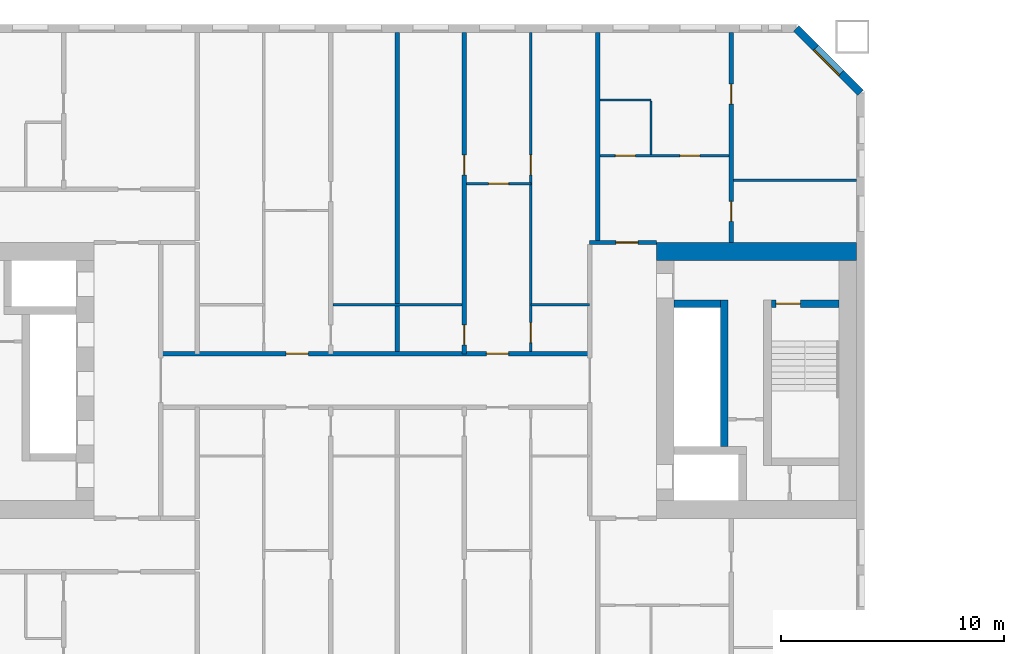
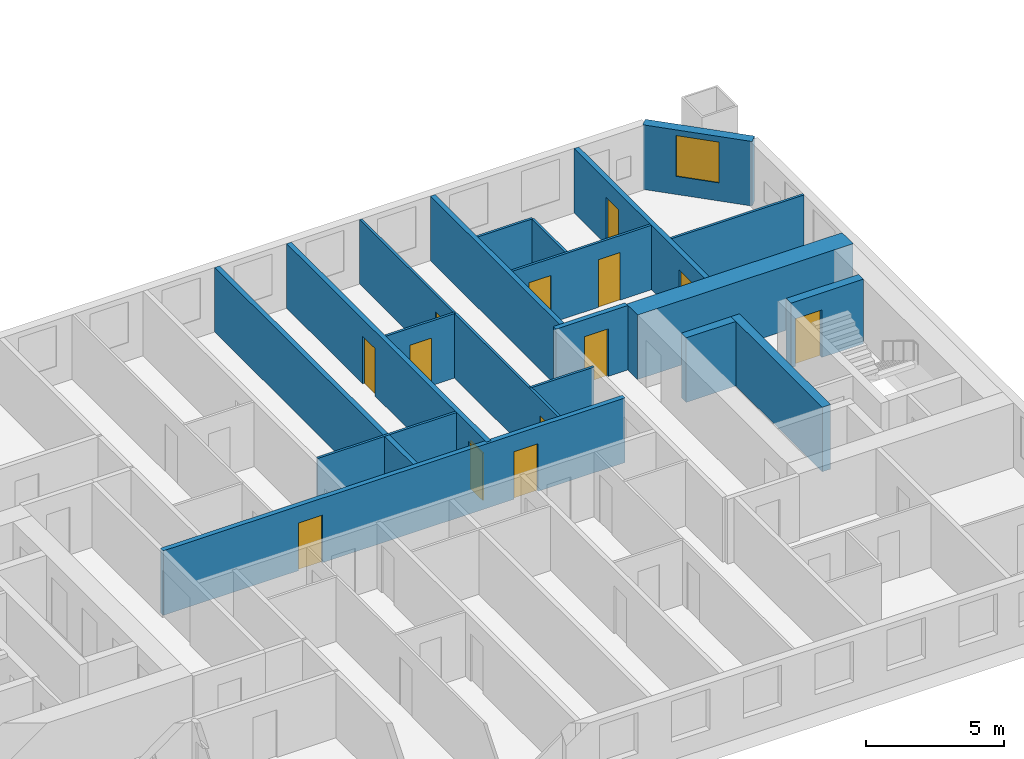
# One storey, part 8 of 17: 19 walls, 13 doors, 1 window, 14 openings.
"""IFC4 building model written with IfcOpenShell, lengths in metres."""

from ifc_helpers import new_model, si_unit, direction, frame, frame_2d, origin, place, context, subcontext, project, spatial, rectangle, extrude, material, layer, layer_set, type_object, element, fill, save


model = new_model("IFC4")

# Units and contexts
model_context = context("Model", 3, precision=1e-05, world=origin(), true_north=direction((0.0, 1.0)))
body_context = subcontext(model_context, "Body", "Model", "MODEL_VIEW")
ifc_project = project(units=[si_unit("LENGTHUNIT", "METRE"), si_unit("AREAUNIT", "SQUARE_METRE"), si_unit("VOLUMEUNIT", "CUBIC_METRE"), si_unit("PLANEANGLEUNIT", "RADIAN"), si_unit("MASSUNIT", "GRAM", prefix="KILO")], contexts=[model_context])

# Site, building, storey
site_placement = place(None, origin())
site = spatial("IfcSite", under=ifc_project, at=site_placement, CompositionType="ELEMENT")
building_placement = place(site_placement, origin())
building = spatial("IfcBuilding", under=site, at=building_placement, Name="Tuart Gate Housing", CompositionType="ELEMENT")
storey_placement = place(building_placement, frame((0.0, 0.0, 44.300048828125)))
storey = spatial("IfcBuildingStorey", under=building, at=storey_placement, Name="L11", CompositionType="ELEMENT", Elevation=44.300048828125)

# Wall, opening, window
ifc_material_1 = material(Name="Brick", Category="masonry")
ifc_layer_1 = layer(ifc_material_1, 0.360107421875)
ifc_layer_set_1 = layer_set([ifc_layer_1], Name="Brick pier and spandrel wall 360")
wall_type_1 = type_object("IfcWallType", Name="Brick pier and spandrel wall 360", PredefinedType="STANDARD", material=ifc_layer_set_1)
wall_1_placement = place(storey_placement, frame((75.820068359375, 82.92529296875, 0.0), z_axis=(0.0, 0.0, 1.0), x_axis=(-0.707106781187, 0.707106781187, 0.0)))
wall_1 = element("IfcWall", 1, at=wall_1_placement, inside=storey, type_object=wall_type_1, Name="External wall A-NE L11", PredefinedType="STANDARD", context=body_context, shape_type="SweptSolid", body=[
    extrude(rectangle(XDim=4.09375, YDim=0.360107421875, at=frame_2d((2.046875, 0.0))), origin(), (0.0, 0.0, 1.0), 2.849853515625),
])
opening_1_placement = place(wall_1_placement, frame((1.2470703125, 0.0, 0.800048828125)))
opening_1 = element("IfcOpeningElement", 2, at=opening_1_placement, cuts=wall_1, Name="Opening W1", PredefinedType="OPENING", context=body_context, shape_type="SweptSolid", body=[
    extrude(rectangle(XDim=1.60009765625, YDim=1.800048828125, at=frame_2d((0.800048828125, 0.89990234375))), frame((0.0, 0.18994140625, 0.0), z_axis=(0.0, -1.0, 0.0), x_axis=(1.0, 0.0, 0.0)), (0.0, 0.0, 1.0), 0.380126953125),
])
ifc_material_2 = material(Name="Aluminium frame with clear glass", Category="aluminium")
window_type = type_object("IfcWindowType", Name="Punched window 1600 x 1800", PartitioningType="SINGLE_PANEL", PredefinedType="WINDOW", material=ifc_material_2)
window_placement = place(opening_1_placement, origin())
window = element("IfcWindow", 3, at=window_placement, inside=storey, type_object=window_type, Name="Window W1", OverallHeight=1.800048828125, OverallWidth=1.60009765625, PartitioningType="SINGLE_PANEL", PredefinedType="WINDOW", context=body_context, shape_type="SweptSolid", body=[
    extrude(rectangle(XDim=1.60009765625, YDim=1.800048828125, at=frame_2d((0.800048828125, 0.89990234375))), frame((0.0, 0.150146484375, 0.0), z_axis=(0.0, -1.0, 0.0), x_axis=(1.0, 0.0, 0.0)), (0.0, 0.0, 1.0), 0.06005859375),
])
fill(opening_1, window)

# Wall
ifc_material_3 = material(Name="Concrete C60", Category="concrete")
ifc_layer_2 = layer(ifc_material_3, 0.35009765625)
ifc_layer_set_2 = layer_set([ifc_layer_2], Name="Core wall 350 C60")
wall_type_2 = type_object("IfcWallType", Name="Core wall 350 C60", PredefinedType="SHEAR", material=ifc_layer_set_2)
wall_2_placement = place(storey_placement, frame((67.43994140625, 73.449951171875, 0.0), z_axis=(0.0, 0.0, 1.0), x_axis=(1.0, 0.0, 0.0)))
element("IfcWall", 4, at=wall_2_placement, inside=storey, type_object=wall_type_2, Name="Core wall AG.4", PredefinedType="SHEAR", context=body_context, shape_type="SweptSolid", body=[
    extrude(rectangle(XDim=2.074951171875, YDim=0.35009765625, at=frame_2d((1.03759765625, 0.0))), origin(), (0.0, 0.0, 1.0), 2.849853515625),
])

# Wall, opening, door
wall_3_placement = place(storey_placement, frame((71.81494140625, 73.449951171875, 0.0), z_axis=(0.0, 0.0, 1.0), x_axis=(1.0, 0.0, 0.0)))
wall_3 = element("IfcWall", 5, at=wall_3_placement, inside=storey, type_object=wall_type_2, Name="Core wall AG.5", PredefinedType="SHEAR", context=body_context, shape_type="SweptSolid", body=[
    extrude(rectangle(XDim=3.025146484375, YDim=0.35009765625, at=frame_2d((1.5126953125, 0.0))), origin(), (0.0, 0.0, 1.0), 2.849853515625),
])
opening_2_placement = place(wall_3_placement, frame((0.195068359375, 0.0, 0.0)))
opening_2 = element("IfcOpeningElement", 6, at=opening_2_placement, cuts=wall_3, Name="Opening D615", PredefinedType="OPENING", context=body_context, shape_type="SweptSolid", body=[
    extrude(rectangle(XDim=1.10009765625, YDim=2.10009765625, at=frame_2d((0.550048828125, 1.050048828125))), frame((0.0, 0.18505859375, 0.0), z_axis=(0.0, -1.0, 0.0), x_axis=(1.0, 0.0, 0.0)), (0.0, 0.0, 1.0), 0.3701171875),
])
ifc_material_4 = material(Name="Steel fire door", Category="steel")
door_type_1 = type_object("IfcDoorType", Name="Stair door 1100 x 2100 RH", OperationType="SINGLE_SWING_RIGHT", PredefinedType="DOOR", material=ifc_material_4)
door_1_placement = place(opening_2_placement, frame((1.10009765625, 0.0, 0.0), z_axis=(0.0, 0.0, 1.0), x_axis=(-1.0, 0.0, 0.0)))
door_1 = element("IfcDoor", 7, at=door_1_placement, inside=storey, type_object=door_type_1, Name="Stair door AG.SD", OperationType="SINGLE_SWING_RIGHT", OverallHeight=2.10009765625, OverallWidth=1.10009765625, PredefinedType="DOOR", context=body_context, shape_type="SweptSolid", body=[
    extrude(rectangle(XDim=1.10009765625, YDim=2.10009765625, at=frame_2d((0.550048828125, 1.050048828125))), frame((0.0, 0.025146484375, 0.0), z_axis=(0.0, -1.0, 0.0), x_axis=(1.0, 0.0, 0.0)), (0.0, 0.0, 1.0), 0.050048828125),
])
fill(opening_2, door_1)

# Walls
wall_4_placement = place(storey_placement, frame((69.68994140625, 67.02490234375, 0.0), z_axis=(0.0, 0.0, 1.0), x_axis=(0.0, 1.0, 0.0)))
element("IfcWall", 8, at=wall_4_placement, inside=storey, type_object=wall_type_2, Name="Core wall AG.6", PredefinedType="SHEAR", context=body_context, shape_type="SweptSolid", body=[
    extrude(rectangle(XDim=6.60009765625, YDim=0.35009765625, at=frame_2d((3.300048828125, 0.0))), origin(), (0.0, 0.0, 1.0), 2.849853515625),
])
ifc_material_5 = material(Name="Concrete C60", Category="concrete")
ifc_layer_3 = layer(ifc_material_5, 0.800048828125)
ifc_layer_set_3 = layer_set([ifc_layer_3], Name="Core wall 800 C60")
wall_type_3 = type_object("IfcWallType", Name="Core wall 800 C60", PredefinedType="SHEAR", material=ifc_layer_set_3)
wall_5_placement = place(storey_placement, frame((66.639892578125, 75.800048828125, 0.0), z_axis=(0.0, 0.0, 1.0), x_axis=(1.0, 0.0, 0.0)))
element("IfcWall", 9, at=wall_5_placement, inside=storey, type_object=wall_type_3, Name="Core wall AG north", PredefinedType="SHEAR", context=body_context, shape_type="SweptSolid", body=[
    extrude(rectangle(XDim=9.0, YDim=0.800048828125, at=frame_2d((4.5, 0.0))), origin(), (0.0, 0.0, 1.0), 2.849853515625),
])

# Wall, openings, doors
ifc_material_6 = material(Name="Concrete masonry 15 MPa", Category="masonry")
ifc_layer_4 = layer(ifc_material_6, 0.199951171875)
ifc_layer_set_4 = layer_set([ifc_layer_4], Name="Corridor wall masonry 200")
wall_type_4 = type_object("IfcWallType", Name="Corridor wall masonry 200", PredefinedType="PARTITIONING", material=ifc_layer_set_4)
wall_6_placement = place(storey_placement, frame((44.360107421875, 71.199951171875, 0.0), z_axis=(0.0, 0.0, 1.0), x_axis=(1.0, 0.0, 0.0)))
wall_6 = element("IfcWall", 10, at=wall_6_placement, inside=storey, type_object=wall_type_4, Name="Corridor wall masonry 200", PredefinedType="PARTITIONING", context=body_context, shape_type="SweptSolid", body=[
    extrude(rectangle(XDim=19.27978515625, YDim=0.199951171875, at=frame_2d((9.639892578125, 0.0))), origin(), (0.0, 0.0, 1.0), 2.849853515625),
])
opening_3_placement = place(wall_6_placement, frame((14.639892578125, 0.0, 0.0)))
opening_3 = element("IfcOpeningElement", 11, at=opening_3_placement, cuts=wall_6, Name="Opening D617", PredefinedType="OPENING", context=body_context, shape_type="SweptSolid", body=[
    extrude(rectangle(XDim=1.0, YDim=2.10009765625, at=frame_2d((0.5, 1.050048828125))), frame((0.0, 0.10986328125, 0.0), z_axis=(0.0, -1.0, 0.0), x_axis=(1.0, 0.0, 0.0)), (0.0, 0.0, 1.0), 0.219970703125),
])
opening_4_placement = place(wall_6_placement, frame((5.639892578125, 0.0, 0.0)))
opening_4 = element("IfcOpeningElement", 12, at=opening_4_placement, cuts=wall_6, Name="Opening D618", PredefinedType="OPENING", context=body_context, shape_type="SweptSolid", body=[
    extrude(rectangle(XDim=1.0, YDim=2.10009765625, at=frame_2d((0.5, 1.050048828125))), frame((0.0, 0.10986328125, 0.0), z_axis=(0.0, -1.0, 0.0), x_axis=(1.0, 0.0, 0.0)), (0.0, 0.0, 1.0), 0.219970703125),
])
ifc_material_7 = material(Name="Timber door leaf in steel frame", Category="steel")
door_type_2 = type_object("IfcDoorType", Name="Flat entrance door 1000", OperationType="SINGLE_SWING_LEFT", PredefinedType="DOOR", material=ifc_material_7)
door_2_placement = place(opening_3_placement, origin())
door_2 = element("IfcDoor", 13, at=door_2_placement, inside=storey, type_object=door_type_2, Name="Flat entrance door", OperationType="SINGLE_SWING_LEFT", OverallHeight=2.10009765625, OverallWidth=1.0, PredefinedType="DOOR", context=body_context, shape_type="SweptSolid", body=[
    extrude(rectangle(XDim=1.0, YDim=2.10009765625, at=frame_2d((0.5, 1.050048828125))), frame((0.0, 0.02490234375, 0.0), z_axis=(0.0, -1.0, 0.0), x_axis=(1.0, 0.0, 0.0)), (0.0, 0.0, 1.0), 0.050048828125),
])
fill(opening_3, door_2)
door_3_placement = place(opening_4_placement, origin())
door_3 = element("IfcDoor", 14, at=door_3_placement, inside=storey, type_object=door_type_2, Name="Flat entrance door", OperationType="SINGLE_SWING_LEFT", OverallHeight=2.10009765625, OverallWidth=1.0, PredefinedType="DOOR", context=body_context, shape_type="SweptSolid", body=[
    extrude(rectangle(XDim=1.0, YDim=2.10009765625, at=frame_2d((0.5, 1.050048828125))), frame((0.0, 0.02490234375, 0.0), z_axis=(0.0, -1.0, 0.0), x_axis=(1.0, 0.0, 0.0)), (0.0, 0.0, 1.0), 0.050048828125),
])
fill(opening_4, door_3)

# Wall, opening, door
ifc_material_8 = material(Name="Concrete masonry 15 MPa", Category="masonry")
ifc_layer_5 = layer(ifc_material_8, 0.199951171875)
ifc_layer_set_5 = layer_set([ifc_layer_5], Name="Enclosure wall masonry 200")
wall_type_5 = type_object("IfcWallType", Name="Enclosure wall masonry 200", PredefinedType="PARTITIONING", material=ifc_layer_set_5)
wall_7_placement = place(storey_placement, frame((63.639892578125, 76.199951171875, 0.0), z_axis=(0.0, 0.0, 1.0), x_axis=(1.0, 0.0, 0.0)))
wall_7 = element("IfcWall", 15, at=wall_7_placement, inside=storey, type_object=wall_type_5, Name="Enclosure wall masonry 200", PredefinedType="PARTITIONING", context=body_context, shape_type="SweptSolid", body=[
    extrude(rectangle(XDim=3.0, YDim=0.199951171875, at=frame_2d((1.5, 0.0))), origin(), (0.0, 0.0, 1.0), 2.849853515625),
])
opening_5_placement = place(wall_7_placement, frame((1.179931640625, 0.0, 0.0)))
opening_5 = element("IfcOpeningElement", 16, at=opening_5_placement, cuts=wall_7, Name="Opening D614", PredefinedType="OPENING", context=body_context, shape_type="SweptSolid", body=[
    extrude(rectangle(XDim=1.0, YDim=2.10009765625, at=frame_2d((0.5, 1.050048828125))), frame((0.0, 0.10986328125, 0.0), z_axis=(0.0, -1.0, 0.0), x_axis=(1.0, 0.0, 0.0)), (0.0, 0.0, 1.0), 0.219970703125),
])
door_4_placement = place(opening_5_placement, origin())
door_4 = element("IfcDoor", 17, at=door_4_placement, inside=storey, type_object=door_type_2, Name="Flat entrance door", OperationType="SINGLE_SWING_LEFT", OverallHeight=2.10009765625, OverallWidth=1.0, PredefinedType="DOOR", context=body_context, shape_type="SweptSolid", body=[
    extrude(rectangle(XDim=1.0, YDim=2.10009765625, at=frame_2d((0.5, 1.050048828125))), frame((0.0, 0.02490234375, 0.0), z_axis=(0.0, -1.0, 0.0), x_axis=(1.0, 0.0, 0.0)), (0.0, 0.0, 1.0), 0.050048828125),
])
fill(opening_5, door_4)

# Walls
ifc_material_9 = material(Name="Gypsum board on steel studs", Category="steel")
ifc_layer_6 = layer(ifc_material_9, 0.10009765625)
ifc_layer_set_6 = layer_set([ifc_layer_6], Name="Partition 100")
wall_type_6 = type_object("IfcWallType", Name="Partition 100", PredefinedType="PARTITIONING", material=ifc_layer_set_6)
wall_8_placement = place(storey_placement, frame((52.10009765625, 73.39990234375, 0.0), z_axis=(0.0, 0.0, 1.0), x_axis=(1.0, 0.0, 0.0)))
element("IfcWall", 18, at=wall_8_placement, inside=storey, type_object=wall_type_6, Name="Partition 100", PredefinedType="PARTITIONING", context=body_context, shape_type="SweptSolid", body=[
    extrude(rectangle(XDim=5.7998046875, YDim=0.10009765625, at=frame_2d((2.89990234375, 0.0))), origin(), (0.0, 0.0, 1.0), 2.849853515625),
])
wall_9_placement = place(storey_placement, frame((61.0, 73.39990234375, 0.0), z_axis=(0.0, 0.0, 1.0), x_axis=(1.0, 0.0, 0.0)))
element("IfcWall", 19, at=wall_9_placement, inside=storey, type_object=wall_type_6, Name="Partition 100", PredefinedType="PARTITIONING", context=body_context, shape_type="SweptSolid", body=[
    extrude(rectangle(XDim=2.639892578125, YDim=0.10009765625, at=frame_2d((1.31982421875, 0.0))), origin(), (0.0, 0.0, 1.0), 2.849853515625),
])

# Wall, opening, door
wall_10_placement = place(storey_placement, frame((58.10009765625, 78.840087890625, 0.0), z_axis=(0.0, 0.0, 1.0), x_axis=(1.0, 0.0, 0.0)))
wall_10 = element("IfcWall", 20, at=wall_10_placement, inside=storey, type_object=wall_type_6, Name="Partition 100", PredefinedType="PARTITIONING", context=body_context, shape_type="SweptSolid", body=[
    extrude(rectangle(XDim=2.89990234375, YDim=0.10009765625, at=frame_2d((1.449951171875, 0.0))), origin(), (0.0, 0.0, 1.0), 2.849853515625),
])
opening_6_placement = place(wall_10_placement, frame((1.0, 0.0, 0.0)))
opening_6 = element("IfcOpeningElement", 21, at=opening_6_placement, cuts=wall_10, Name="Opening D599", PredefinedType="OPENING", context=body_context, shape_type="SweptSolid", body=[
    extrude(rectangle(XDim=0.89990234375, YDim=2.10009765625, at=frame_2d((0.449951171875, 1.050048828125))), frame((0.0, 0.06005859375, 0.0), z_axis=(0.0, -1.0, 0.0), x_axis=(1.0, 0.0, 0.0)), (0.0, 0.0, 1.0), 0.1201171875),
])
ifc_material_10 = material(Name="Timber door leaf in steel frame", Category="steel")
door_type_3 = type_object("IfcDoorType", Name="Internal door 900", OperationType="SINGLE_SWING_LEFT", PredefinedType="DOOR", material=ifc_material_10)
door_5_placement = place(opening_6_placement, frame((0.89990234375, 0.0, 0.0), z_axis=(0.0, 0.0, 1.0), x_axis=(-1.0, 0.0, 0.0)))
door_5 = element("IfcDoor", 22, at=door_5_placement, inside=storey, type_object=door_type_3, Name="Internal door", OperationType="SINGLE_SWING_LEFT", OverallHeight=2.10009765625, OverallWidth=0.89990234375, PredefinedType="DOOR", context=body_context, shape_type="SweptSolid", body=[
    extrude(rectangle(XDim=0.89990234375, YDim=2.10009765625, at=frame_2d((0.449951171875, 1.050048828125))), frame((0.0, 0.025146484375, 0.0), z_axis=(0.0, -1.0, 0.0), x_axis=(1.0, 0.0, 0.0)), (0.0, 0.0, 1.0), 0.050048828125),
])
fill(opening_6, door_5)

# Wall
wall_11_placement = place(storey_placement, frame((70.10009765625, 79.0, 0.0), z_axis=(0.0, 0.0, 1.0), x_axis=(1.0, 0.0, 0.0)))
element("IfcWall", 23, at=wall_11_placement, inside=storey, type_object=wall_type_6, Name="Partition 100", PredefinedType="PARTITIONING", context=body_context, shape_type="SweptSolid", body=[
    extrude(rectangle(XDim=5.539794921875, YDim=0.10009765625, at=frame_2d((2.77001953125, 0.0))), origin(), (0.0, 0.0, 1.0), 2.849853515625),
])

# Wall, openings, doors
wall_12_placement = place(storey_placement, frame((64.10009765625, 80.10009765625, 0.0), z_axis=(0.0, 0.0, 1.0), x_axis=(1.0, 0.0, 0.0)))
wall_12 = element("IfcWall", 24, at=wall_12_placement, inside=storey, type_object=wall_type_6, Name="Partition 100", PredefinedType="PARTITIONING", context=body_context, shape_type="SweptSolid", body=[
    extrude(rectangle(XDim=5.7998046875, YDim=0.10009765625, at=frame_2d((2.89990234375, 0.0))), origin(), (0.0, 0.0, 1.0), 2.849853515625),
])
opening_7_placement = place(wall_12_placement, frame((3.60009765625, 0.0, 0.0)))
opening_7 = element("IfcOpeningElement", 25, at=opening_7_placement, cuts=wall_12, Name="Opening D598", PredefinedType="OPENING", context=body_context, shape_type="SweptSolid", body=[
    extrude(rectangle(XDim=0.89990234375, YDim=2.10009765625, at=frame_2d((0.449951171875, 1.050048828125))), frame((0.0, 0.06005859375, 0.0), z_axis=(0.0, -1.0, 0.0), x_axis=(1.0, 0.0, 0.0)), (0.0, 0.0, 1.0), 0.1201171875),
])
opening_8_placement = place(wall_12_placement, frame((0.699951171875, 0.0, 0.0)))
opening_8 = element("IfcOpeningElement", 26, at=opening_8_placement, cuts=wall_12, Name="Opening D597", PredefinedType="OPENING", context=body_context, shape_type="SweptSolid", body=[
    extrude(rectangle(XDim=0.89990234375, YDim=2.10009765625, at=frame_2d((0.449951171875, 1.050048828125))), frame((0.0, 0.06005859375, 0.0), z_axis=(0.0, -1.0, 0.0), x_axis=(1.0, 0.0, 0.0)), (0.0, 0.0, 1.0), 0.1201171875),
])
ifc_material_11 = material(Name="Timber door leaf in steel frame", Category="steel")
door_type_4 = type_object("IfcDoorType", Name="Bathroom door 900 RH", OperationType="SINGLE_SWING_RIGHT", PredefinedType="DOOR", material=ifc_material_11)
door_6_placement = place(opening_8_placement, origin())
door_6 = element("IfcDoor", 27, at=door_6_placement, inside=storey, type_object=door_type_4, Name="Bathroom door", OperationType="SINGLE_SWING_RIGHT", OverallHeight=2.10009765625, OverallWidth=0.89990234375, PredefinedType="DOOR", context=body_context, shape_type="SweptSolid", body=[
    extrude(rectangle(XDim=0.89990234375, YDim=2.10009765625, at=frame_2d((0.449951171875, 1.050048828125))), frame((0.0, 0.02490234375, 0.0), z_axis=(0.0, -1.0, 0.0), x_axis=(1.0, 0.0, 0.0)), (0.0, 0.0, 1.0), 0.050048828125),
])
fill(opening_8, door_6)
door_7_placement = place(opening_7_placement, frame((0.89990234375, 0.0, 0.0), z_axis=(0.0, 0.0, 1.0), x_axis=(-1.0, 0.0, 0.0)))
door_7 = element("IfcDoor", 28, at=door_7_placement, inside=storey, type_object=door_type_3, Name="Internal door", OperationType="SINGLE_SWING_LEFT", OverallHeight=2.10009765625, OverallWidth=0.89990234375, PredefinedType="DOOR", context=body_context, shape_type="SweptSolid", body=[
    extrude(rectangle(XDim=0.89990234375, YDim=2.10009765625, at=frame_2d((0.449951171875, 1.050048828125))), frame((0.0, 0.025146484375, 0.0), z_axis=(0.0, -1.0, 0.0), x_axis=(1.0, 0.0, 0.0)), (0.0, 0.0, 1.0), 0.050048828125),
])
fill(opening_7, door_7)

# Wall
wall_13_placement = place(storey_placement, frame((64.10009765625, 82.60009765625, 0.0), z_axis=(0.0, 0.0, 1.0), x_axis=(1.0, 0.0, 0.0)))
element("IfcWall", 29, at=wall_13_placement, inside=storey, type_object=wall_type_6, Name="Partition 100", PredefinedType="PARTITIONING", context=body_context, shape_type="SweptSolid", body=[
    extrude(rectangle(XDim=2.2998046875, YDim=0.10009765625, at=frame_2d((1.14990234375, 0.0))), origin(), (0.0, 0.0, 1.0), 2.849853515625),
])

# Wall, openings, doors
wall_14_placement = place(storey_placement, frame((61.0, 71.300048828125, 0.0), z_axis=(0.0, 0.0, 1.0), x_axis=(0.0, 1.0, 0.0)))
wall_14 = element("IfcWall", 30, at=wall_14_placement, inside=storey, type_object=wall_type_6, Name="Partition 100", PredefinedType="PARTITIONING", context=body_context, shape_type="SweptSolid", body=[
    extrude(rectangle(XDim=14.33984375, YDim=0.10009765625, at=frame_2d((7.169921875, 0.0))), origin(), (0.0, 0.0, 1.0), 2.849853515625),
])
opening_9_placement = place(wall_14_placement, frame((7.93994140625, 0.0, 0.0)))
opening_9 = element("IfcOpeningElement", 31, at=opening_9_placement, cuts=wall_14, Name="Opening D606", PredefinedType="OPENING", context=body_context, shape_type="SweptSolid", body=[
    extrude(rectangle(XDim=0.89990234375, YDim=2.10009765625, at=frame_2d((0.449951171875, 1.050048828125))), frame((0.0, 0.06005859375, 0.0), z_axis=(0.0, -1.0, 0.0), x_axis=(1.0, 0.0, 0.0)), (0.0, 0.0, 1.0), 0.1201171875),
])
opening_10_placement = place(wall_14_placement, frame((0.39990234375, 0.0, 0.0)))
opening_10 = element("IfcOpeningElement", 32, at=opening_10_placement, cuts=wall_14, Name="Opening D605", PredefinedType="OPENING", context=body_context, shape_type="SweptSolid", body=[
    extrude(rectangle(XDim=0.89990234375, YDim=2.10009765625, at=frame_2d((0.449951171875, 1.050048828125))), frame((0.0, 0.06005859375, 0.0), z_axis=(0.0, -1.0, 0.0), x_axis=(1.0, 0.0, 0.0)), (0.0, 0.0, 1.0), 0.1201171875),
])
door_8_placement = place(opening_10_placement, frame((0.89990234375, 0.0, 0.0), z_axis=(0.0, 0.0, 1.0), x_axis=(-1.0, 0.0, 0.0)))
door_8 = element("IfcDoor", 33, at=door_8_placement, inside=storey, type_object=door_type_4, Name="Bathroom door", OperationType="SINGLE_SWING_RIGHT", OverallHeight=2.10009765625, OverallWidth=0.89990234375, PredefinedType="DOOR", context=body_context, shape_type="SweptSolid", body=[
    extrude(rectangle(XDim=0.89990234375, YDim=2.10009765625, at=frame_2d((0.449951171875, 1.050048828125))), frame((0.0, 0.025146484375, 0.0), z_axis=(0.0, -1.0, 0.0), x_axis=(1.0, 0.0, 0.0)), (0.0, 0.0, 1.0), 0.050048828125),
])
fill(opening_10, door_8)
door_9_placement = place(opening_9_placement, frame((0.89990234375, 0.0, 0.0), z_axis=(0.0, 0.0, 1.0), x_axis=(-1.0, 0.0, 0.0)))
door_9 = element("IfcDoor", 34, at=door_9_placement, inside=storey, type_object=door_type_3, Name="Internal door", OperationType="SINGLE_SWING_LEFT", OverallHeight=2.10009765625, OverallWidth=0.89990234375, PredefinedType="DOOR", context=body_context, shape_type="SweptSolid", body=[
    extrude(rectangle(XDim=0.89990234375, YDim=2.10009765625, at=frame_2d((0.449951171875, 1.050048828125))), frame((0.0, 0.025146484375, 0.0), z_axis=(0.0, -1.0, 0.0), x_axis=(1.0, 0.0, 0.0)), (0.0, 0.0, 1.0), 0.050048828125),
])
fill(opening_9, door_9)

# Wall
wall_15_placement = place(storey_placement, frame((66.39990234375, 80.14990234375, 0.0), z_axis=(0.0, 0.0, 1.0), x_axis=(0.0, 1.0, 0.0)))
element("IfcWall", 35, at=wall_15_placement, inside=storey, type_object=wall_type_6, Name="Partition 100", PredefinedType="PARTITIONING", context=body_context, shape_type="SweptSolid", body=[
    extrude(rectangle(XDim=2.400146484375, YDim=0.10009765625, at=frame_2d((1.2001953125, 0.0))), origin(), (0.0, 0.0, 1.0), 2.849853515625),
])

# Wall, openings, doors
ifc_material_12 = material(Name="Concrete C40", Category="concrete")
ifc_layer_7 = layer(ifc_material_12, 0.199951171875)
ifc_layer_set_7 = layer_set([ifc_layer_7], Name="Party wall concrete C40 200")
wall_type_7 = type_object("IfcWallType", Name="Party wall concrete C40 200", PredefinedType="SOLIDWALL", material=ifc_layer_set_7)
wall_16_placement = place(storey_placement, frame((58.0, 71.199951171875, 0.0), z_axis=(0.0, 0.0, 1.0), x_axis=(0.0, 1.0, 0.0)))
wall_16 = element("IfcWall", 36, at=wall_16_placement, inside=storey, type_object=wall_type_7, Name="Party wall concrete C40 200", PredefinedType="SOLIDWALL", context=body_context, shape_type="SweptSolid", body=[
    extrude(rectangle(XDim=14.43994140625, YDim=0.199951171875, at=frame_2d((7.219970703125, 0.0))), origin(), (0.0, 0.0, 1.0), 2.849853515625),
])
opening_11_placement = place(wall_16_placement, frame((8.0400390625, 0.0, 0.0)))
opening_11 = element("IfcOpeningElement", 37, at=opening_11_placement, cuts=wall_16, Name="Opening D610", PredefinedType="OPENING", context=body_context, shape_type="SweptSolid", body=[
    extrude(rectangle(XDim=0.89990234375, YDim=2.10009765625, at=frame_2d((0.449951171875, 1.050048828125))), frame((0.0, 0.10986328125, 0.0), z_axis=(0.0, -1.0, 0.0), x_axis=(1.0, 0.0, 0.0)), (0.0, 0.0, 1.0), 0.219970703125),
])
opening_12_placement = place(wall_16_placement, frame((0.39990234375, 0.0, 0.0)))
opening_12 = element("IfcOpeningElement", 38, at=opening_12_placement, cuts=wall_16, Name="Opening D609", PredefinedType="OPENING", context=body_context, shape_type="SweptSolid", body=[
    extrude(rectangle(XDim=0.89990234375, YDim=2.10009765625, at=frame_2d((0.449951171875, 1.050048828125))), frame((0.0, 0.10986328125, 0.0), z_axis=(0.0, -1.0, 0.0), x_axis=(1.0, 0.0, 0.0)), (0.0, 0.0, 1.0), 0.219970703125),
])
ifc_material_13 = material(Name="Timber door leaf in steel frame", Category="steel")
door_type_5 = type_object("IfcDoorType", Name="Bathroom door 900", OperationType="SINGLE_SWING_LEFT", PredefinedType="DOOR", material=ifc_material_13)
door_10_placement = place(opening_12_placement, origin())
door_10 = element("IfcDoor", 39, at=door_10_placement, inside=storey, type_object=door_type_5, Name="Bathroom door", OperationType="SINGLE_SWING_LEFT", OverallHeight=2.10009765625, OverallWidth=0.89990234375, PredefinedType="DOOR", context=body_context, shape_type="SweptSolid", body=[
    extrude(rectangle(XDim=0.89990234375, YDim=2.10009765625, at=frame_2d((0.449951171875, 1.050048828125))), frame((0.0, 0.02490234375, 0.0), z_axis=(0.0, -1.0, 0.0), x_axis=(1.0, 0.0, 0.0)), (0.0, 0.0, 1.0), 0.050048828125),
])
fill(opening_12, door_10)
ifc_material_14 = material(Name="Timber door leaf in steel frame", Category="steel")
door_type_6 = type_object("IfcDoorType", Name="Internal door 900 RH", OperationType="SINGLE_SWING_RIGHT", PredefinedType="DOOR", material=ifc_material_14)
door_11_placement = place(opening_11_placement, origin())
door_11 = element("IfcDoor", 40, at=door_11_placement, inside=storey, type_object=door_type_6, Name="Internal door", OperationType="SINGLE_SWING_RIGHT", OverallHeight=2.10009765625, OverallWidth=0.89990234375, PredefinedType="DOOR", context=body_context, shape_type="SweptSolid", body=[
    extrude(rectangle(XDim=0.89990234375, YDim=2.10009765625, at=frame_2d((0.449951171875, 1.050048828125))), frame((0.0, 0.02490234375, 0.0), z_axis=(0.0, -1.0, 0.0), x_axis=(1.0, 0.0, 0.0)), (0.0, 0.0, 1.0), 0.050048828125),
])
fill(opening_11, door_11)

# Wall
wall_17_placement = place(storey_placement, frame((64.0, 76.199951171875, 0.0), z_axis=(0.0, 0.0, 1.0), x_axis=(0.0, 1.0, 0.0)))
element("IfcWall", 41, at=wall_17_placement, inside=storey, type_object=wall_type_7, Name="Party wall concrete C40 200", PredefinedType="SOLIDWALL", context=body_context, shape_type="SweptSolid", body=[
    extrude(rectangle(XDim=9.43994140625, YDim=0.199951171875, at=frame_2d((4.719970703125, 0.0))), origin(), (0.0, 0.0, 1.0), 2.849853515625),
])

# Wall, openings, doors
wall_18_placement = place(storey_placement, frame((70.0, 76.199951171875, 0.0), z_axis=(0.0, 0.0, 1.0), x_axis=(0.0, 1.0, 0.0)))
wall_18 = element("IfcWall", 42, at=wall_18_placement, inside=storey, type_object=wall_type_7, Name="Party wall concrete C40 200", PredefinedType="SOLIDWALL", context=body_context, shape_type="SweptSolid", body=[
    extrude(rectangle(XDim=9.43994140625, YDim=0.199951171875, at=frame_2d((4.719970703125, 0.0))), origin(), (0.0, 0.0, 1.0), 2.849853515625),
])
opening_13_placement = place(wall_18_placement, frame((6.219970703125, 0.0, 0.0)))
opening_13 = element("IfcOpeningElement", 43, at=opening_13_placement, cuts=wall_18, Name="Opening D594", PredefinedType="OPENING", context=body_context, shape_type="SweptSolid", body=[
    extrude(rectangle(XDim=0.89990234375, YDim=2.10009765625, at=frame_2d((0.449951171875, 1.050048828125))), frame((0.0, 0.10986328125, 0.0), z_axis=(0.0, -1.0, 0.0), x_axis=(1.0, 0.0, 0.0)), (0.0, 0.0, 1.0), 0.219970703125),
])
opening_14_placement = place(wall_18_placement, frame((0.949951171875, 0.0, 0.0)))
opening_14 = element("IfcOpeningElement", 44, at=opening_14_placement, cuts=wall_18, Name="Opening D595", PredefinedType="OPENING", context=body_context, shape_type="SweptSolid", body=[
    extrude(rectangle(XDim=0.89990234375, YDim=2.10009765625, at=frame_2d((0.449951171875, 1.050048828125))), frame((0.0, 0.10986328125, 0.0), z_axis=(0.0, -1.0, 0.0), x_axis=(1.0, 0.0, 0.0)), (0.0, 0.0, 1.0), 0.219970703125),
])
door_12_placement = place(opening_13_placement, frame((0.89990234375, 0.0, 0.0), z_axis=(0.0, 0.0, 1.0), x_axis=(-1.0, 0.0, 0.0)))
door_12 = element("IfcDoor", 45, at=door_12_placement, inside=storey, type_object=door_type_3, Name="Internal door", OperationType="SINGLE_SWING_LEFT", OverallHeight=2.10009765625, OverallWidth=0.89990234375, PredefinedType="DOOR", context=body_context, shape_type="SweptSolid", body=[
    extrude(rectangle(XDim=0.89990234375, YDim=2.10009765625, at=frame_2d((0.449951171875, 1.050048828125))), frame((0.0, 0.025146484375, 0.0), z_axis=(0.0, -1.0, 0.0), x_axis=(1.0, 0.0, 0.0)), (0.0, 0.0, 1.0), 0.050048828125),
])
fill(opening_13, door_12)
door_13_placement = place(opening_14_placement, frame((0.89990234375, 0.0, 0.0), z_axis=(0.0, 0.0, 1.0), x_axis=(-1.0, 0.0, 0.0)))
door_13 = element("IfcDoor", 46, at=door_13_placement, inside=storey, type_object=door_type_6, Name="Internal door", OperationType="SINGLE_SWING_RIGHT", OverallHeight=2.10009765625, OverallWidth=0.89990234375, PredefinedType="DOOR", context=body_context, shape_type="SweptSolid", body=[
    extrude(rectangle(XDim=0.89990234375, YDim=2.10009765625, at=frame_2d((0.449951171875, 1.050048828125))), frame((0.0, 0.025146484375, 0.0), z_axis=(0.0, -1.0, 0.0), x_axis=(1.0, 0.0, 0.0)), (0.0, 0.0, 1.0), 0.050048828125),
])
fill(opening_14, door_13)

# Wall
ifc_material_15 = material(Name="Concrete masonry 15 MPa", Category="masonry")
ifc_layer_8 = layer(ifc_material_15, 0.199951171875)
ifc_layer_set_8 = layer_set([ifc_layer_8], Name="Party wall masonry 200")
wall_type_8 = type_object("IfcWallType", Name="Party wall masonry 200", PredefinedType="PARTITIONING", material=ifc_layer_set_8)
wall_19_placement = place(storey_placement, frame((55.0, 71.300048828125, 0.0), z_axis=(0.0, 0.0, 1.0), x_axis=(0.0, 1.0, 0.0)))
element("IfcWall", 47, at=wall_19_placement, inside=storey, type_object=wall_type_8, Name="Party wall masonry 200", PredefinedType="PARTITIONING", context=body_context, shape_type="SweptSolid", body=[
    extrude(rectangle(XDim=14.33984375, YDim=0.199951171875, at=frame_2d((7.169921875, 0.0))), origin(), (0.0, 0.0, 1.0), 2.849853515625),
])

save(model, "model.ifc")
